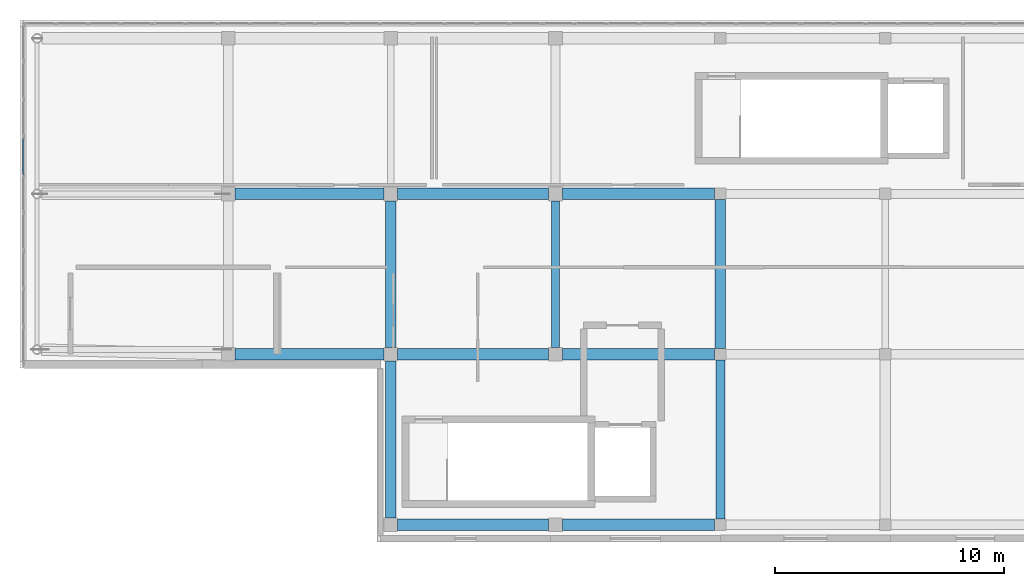
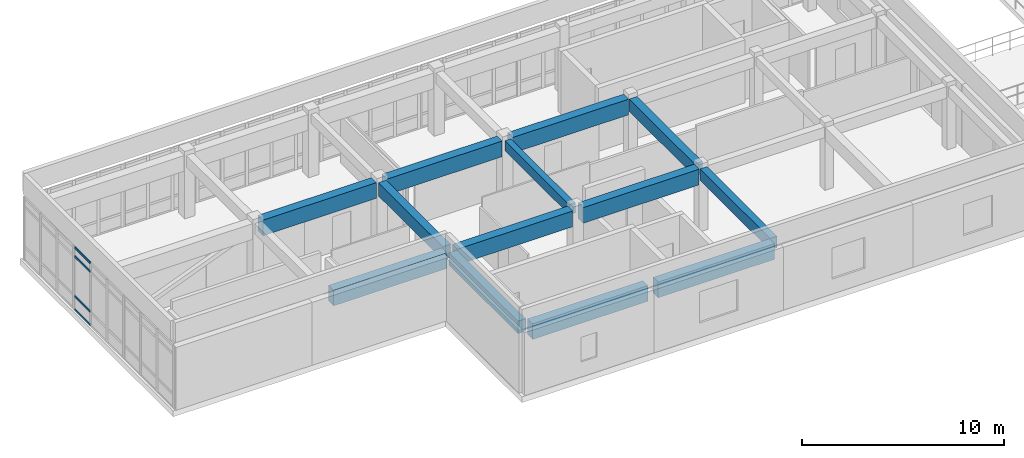
# One storey, part 4 of 14: 13 beams, 4 members, 1 element without a shape of its own.
"""IFC4 building model written with IfcOpenShell, lengths in metres."""

import ifcopenshell
import ifcopenshell.guid

model = None  # the IFC model being written
_history = None  # IfcOwnerHistory: only IFC2X3 demands one
_inside = {}  # id of a spatial element -> (the spatial element, [elements in it])
_under = {}  # id of a project, library or spatial element -> (it, [spatial elements below it])
_declared = {}  # id of a project -> (the project, [libraries it declares])
_typed = {}  # id of a type object -> (the type object, [elements of that type])
_made_of = {}  # id of a material, layer set ... -> (it, [elements and type objects made of it])


def new_model(schema):
    """Start an empty IFC model of exactly this schema.

    Asked for "IFC4X3", IfcOpenShell would pick the latest addendum, in which some entities
    have other attributes; the version numbers below select the first issue.
    IFC2X3 requires an IfcOwnerHistory on every rooted entity: one is made here for all.
    """
    global model, _history
    if schema == "IFC4X3":
        model = ifcopenshell.file(schema_version=(4, 3, 0, 0))
    else:
        model = ifcopenshell.file(schema=schema)
    _inside.clear()
    _under.clear()
    _declared.clear()
    _typed.clear()
    _made_of.clear()
    _history = None
    if model.schema == "IFC2X3":
        org = make("IfcOrganization", Name="unknown")
        user = make(
            "IfcPersonAndOrganization",
            ThePerson=make("IfcPerson", FamilyName="unknown"),
            TheOrganization=org,
        )
        app = make(
            "IfcApplication",
            ApplicationDeveloper=org,
            Version="unknown",
            ApplicationFullName="unknown",
            ApplicationIdentifier="unknown",
        )
        _history = make(
            "IfcOwnerHistory",
            OwningUser=user,
            OwningApplication=app,
            ChangeAction="ADDED",
            CreationDate=0,
        )
    return model


def make(cls, **values):
    """One entity of the class cls with the attributes given. An attribute that is None is left unset."""
    return model.create_entity(
        cls, **{name: value for name, value in values.items() if value is not None}
    )


def rooted(cls, **values):
    """An entity with a GlobalId (a new one), such as an element, a storey or a relation."""
    return make(cls, GlobalId=ifcopenshell.guid.new(), OwnerHistory=_history, **values)


def si_unit(unit_type, name, prefix=None):
    """IfcSIUnit, for example si_unit("LENGTHUNIT", "METRE", prefix="MILLI")."""
    return make("IfcSIUnit", UnitType=unit_type, Prefix=prefix, Name=name)


def assignment(units):
    """IfcUnitAssignment: the units of a project."""
    return None if units is None else make("IfcUnitAssignment", Units=units)


def point(xyz):
    """IfcCartesianPoint."""
    return None if xyz is None else make("IfcCartesianPoint", Coordinates=xyz)


def direction(xyz):
    """IfcDirection."""
    return None if xyz is None else make("IfcDirection", DirectionRatios=xyz)


def frame(location, z_axis=None, x_axis=None):
    """IfcAxis2Placement3D, a coordinate frame: its origin and axes. An axis left out is left unset."""
    return make(
        "IfcAxis2Placement3D",
        Location=point(location),
        Axis=direction(z_axis),
        RefDirection=direction(x_axis),
    )


def frame_2d(location, x_axis=None):
    """IfcAxis2Placement2D, a coordinate frame in the plane: its origin and x axis."""
    return make(
        "IfcAxis2Placement2D", Location=point(location), RefDirection=direction(x_axis)
    )


def origin():
    """The frame at (0, 0, 0) with its axes left unset."""
    return frame((0.0, 0.0, 0.0))


def origin_2d():
    """The frame at (0, 0) in the plane with its x axis left unset."""
    return frame_2d((0.0, 0.0))


def place(relative_to, where):
    """IfcLocalPlacement: puts the frame where relative to a parent placement (None: the world)."""
    return make(
        "IfcLocalPlacement", PlacementRelTo=relative_to, RelativePlacement=where
    )


def context(
    kind, dimensions, precision=None, world=None, true_north=None, identifier=None
):
    """IfcGeometricRepresentationContext, for example the 3D "Model" context."""
    return make(
        "IfcGeometricRepresentationContext",
        ContextIdentifier=identifier,
        ContextType=kind,
        CoordinateSpaceDimension=dimensions,
        Precision=precision,
        WorldCoordinateSystem=world,
        TrueNorth=true_north,
    )


def subcontext(parent, identifier, kind, view, scale=None):
    """IfcGeometricRepresentationSubContext, for example "Body" below "Model"."""
    return make(
        "IfcGeometricRepresentationSubContext",
        ContextIdentifier=identifier,
        ContextType=kind,
        ParentContext=parent,
        TargetScale=scale,
        TargetView=view,
    )


def project(units=None, contexts=None):
    """IfcProject with its units and contexts."""
    return rooted(
        "IfcProject",
        Name="project",
        RepresentationContexts=contexts,
        UnitsInContext=assignment(units),
    )


def spatial(cls, under=None, at=None, **own):
    """A site, building, storey or space (cls), placed at a placement, below another one or the project."""
    s = rooted(cls, ObjectPlacement=at, **own)
    if under is not None:
        _under.setdefault(under.id(), (under, []))[1].append(s)
    return s


def profile(cls, at=None, kind="AREA", **sizes):
    """A parametric profile (cls). Its sizes go by their IFC names, for example OverallWidth=200.0."""
    return make(cls, ProfileType=kind, Position=at, **sizes)


def rectangle(**sizes):
    """IfcRectangleProfileDef."""
    return profile("IfcRectangleProfileDef", **sizes)


def hollow_rectangle(**sizes):
    """IfcRectangleHollowProfileDef."""
    return profile("IfcRectangleHollowProfileDef", **sizes)


def extrude(swept, where, along, depth):
    """IfcExtrudedAreaSolid: the profile swept, set in the frame where, extruded along a direction by depth."""
    return make(
        "IfcExtrudedAreaSolid",
        SweptArea=swept,
        Position=where,
        ExtrudedDirection=direction(along),
        Depth=depth,
    )


def shape(context_of_items, identifier, shape_type, items):
    """IfcShapeRepresentation: the items that make up one representation, for example the "Body"."""
    return make(
        "IfcShapeRepresentation",
        ContextOfItems=context_of_items,
        RepresentationIdentifier=identifier,
        RepresentationType=shape_type,
        Items=items,
    )


def material(Name=None, Category=None):
    """IfcMaterial."""
    return make("IfcMaterial", Name=Name, Category=Category)


def layer(
    of_material, thickness, ventilated=None, Name=None, Category=None, Priority=None
):
    """IfcMaterialLayer: one layer of a wall or slab, of a material (None: an air gap)."""
    return make(
        "IfcMaterialLayer",
        Material=of_material,
        LayerThickness=thickness,
        IsVentilated=ventilated,
        Name=Name,
        Category=Category,
        Priority=Priority,
    )


def layer_set(layers, Name=None):
    """IfcMaterialLayerSet."""
    return make("IfcMaterialLayerSet", MaterialLayers=layers, LayerSetName=Name)


def material_profile(
    of_material, cross_section, Name=None, Category=None, Priority=None
):
    """IfcMaterialProfile: a cross section and its material."""
    return make(
        "IfcMaterialProfile",
        Name=Name,
        Material=of_material,
        Profile=cross_section,
        Priority=Priority,
        Category=Category,
    )


def profile_set(profiles, Name=None, composite=None):
    """IfcMaterialProfileSet."""
    return make(
        "IfcMaterialProfileSet",
        Name=Name,
        MaterialProfiles=profiles,
        CompositeProfile=composite,
    )


def made_of(thing, what):
    """Note that an element or type object is made of a material, layer set ...; save() writes the relation."""
    if what is not None:
        _made_of.setdefault(what.id(), (what, []))[1].append(thing)
    return thing


def type_object(cls, material=None, **own):
    """A type object (cls), such as IfcWallType, which elements share."""
    return made_of(rooted(cls, **own), material)


def element(
    cls,
    number,
    at=None,
    inside=None,
    cuts=None,
    type_object=None,
    material=None,
    context=None,
    identifier="Body",
    shape_type=None,
    held_by="IfcProductDefinitionShape",
    body=None,
    shapes=None,
    **own,
):
    """One element of the class cls, such as IfcWall. Its Tag is "e" and its number.

    at: its placement. inside: the storey or other place that contains it. cuts: it is an
    opening in that element (IfcRelVoidsElement). A single representation is given by context,
    identifier, shape_type and body (its items); several are given by shapes. held_by: the class
    of the entity that holds the representations. save() writes the other relations.
    """
    e = rooted(cls, Tag="e%d" % number, ObjectPlacement=at, **own)
    if body is not None:
        shapes = [shape(context, identifier, shape_type, body)]
    if shapes is not None:
        e.Representation = make(held_by, Representations=shapes)
    if inside is not None:
        _inside.setdefault(inside.id(), (inside, []))[1].append(e)
    if cuts is not None:
        rooted(
            "IfcRelVoidsElement", RelatingBuildingElement=cuts, RelatedOpeningElement=e
        )
    if type_object is not None:
        _typed.setdefault(type_object.id(), (type_object, []))[1].append(e)
    return made_of(e, material)


def aggregate(whole, parts):
    """IfcRelAggregates: a whole, such as a stair, and the parts it consists of."""
    return rooted("IfcRelAggregates", RelatingObject=whole, RelatedObjects=parts)


def save(model, path):
    """Write the relations noted so far, then the file.

    IfcRelAggregates (storeys below a building ...), IfcRelContainedInSpatialStructure (elements
    in a storey), IfcRelDefinesByType, IfcRelAssociatesMaterial and IfcRelDeclares: one each for
    every whole, place, type object, material and project.
    """
    for whole, parts in _under.values():
        aggregate(whole, parts)
    for where, things in _inside.values():
        rooted(
            "IfcRelContainedInSpatialStructure",
            RelatedElements=things,
            RelatingStructure=where,
        )
    for kind, things in _typed.values():
        rooted("IfcRelDefinesByType", RelatedObjects=things, RelatingType=kind)
    for what, things in _made_of.values():
        rooted("IfcRelAssociatesMaterial", RelatedObjects=things, RelatingMaterial=what)
    for by, libraries in _declared.values():
        rooted("IfcRelDeclares", RelatingContext=by, RelatedDefinitions=libraries)
    model.write(path)


model = new_model("IFC4")

# Units and contexts
model_context = context("Model", 3, precision=1e-05, world=origin(), true_north=direction((0.0, 1.0)))
body_context = subcontext(model_context, "Body", "Model", "MODEL_VIEW")
ifc_project = project(units=[si_unit("LENGTHUNIT", "METRE"), si_unit("AREAUNIT", "SQUARE_METRE"), si_unit("VOLUMEUNIT", "CUBIC_METRE"), si_unit("PLANEANGLEUNIT", "RADIAN"), si_unit("MASSUNIT", "GRAM", prefix="KILO")], contexts=[model_context])

# Site, building, storey
site_placement = place(None, origin())
site = spatial("IfcSite", under=ifc_project, at=site_placement, CompositionType="ELEMENT")
building_placement = place(site_placement, origin())
building = spatial("IfcBuilding", under=site, at=building_placement, Name="Valcora Specialist Clinic", CompositionType="ELEMENT")
storey_placement = place(building_placement, frame((0.0, 0.0, 21.760009765625)))
storey = spatial("IfcBuildingStorey", under=building, at=storey_placement, Name="L05", CompositionType="ELEMENT", Elevation=21.760009765625)

# Beams
ifc_material_1 = material(Name="Concrete C40/50", Category="concrete")
ifc_material_profile_1 = material_profile(ifc_material_1, rectangle(XDim=0.35009765625, YDim=0.60009765625, at=origin_2d()), Name="RC-BM-350X600")
ifc_profile_set_1 = profile_set([ifc_material_profile_1], Name="Concrete C40/50")
beam_type_1 = type_object("IfcBeamType", Name="TY-BM-RC350X600", PredefinedType="BEAM", material=ifc_profile_set_1)
beam_1_placement = place(storey_placement, frame((23.39990234375, 8.5, 3.510009765625), z_axis=(0.0, 1.0, 0.0), x_axis=(-1.0, 0.0, 0.0)))
element("IfcBeam", 1, at=beam_1_placement, inside=storey, type_object=beam_type_1, Name="Beam BM-L05-1140", PredefinedType="BEAM", context=body_context, shape_type="SweptSolid", body=[
    extrude(rectangle(XDim=0.35009765625, YDim=0.60009765625, at=origin_2d()), origin(), (0.0, 0.0, 1.0), 6.39990234375),
])
ifc_material_profile_2 = material_profile(ifc_material_1, rectangle(XDim=0.39990234375, YDim=0.699951171875, at=origin_2d()), Name="RC-BM-400X700")
ifc_profile_set_2 = profile_set([ifc_material_profile_2], Name="Concrete C40/50")
beam_type_2 = type_object("IfcBeamType", Name="TY-BM-RC400X700", PredefinedType="BEAM", material=ifc_profile_set_2)
beam_2_placement = place(storey_placement, frame((30.60009765625, 1.0, 3.4599609375), z_axis=(0.0, 1.0, 0.0), x_axis=(-1.0, 0.0, 0.0)))
element("IfcBeam", 2, at=beam_2_placement, inside=storey, type_object=beam_type_2, Name="Beam BM-L05-1142", PredefinedType="BEAM", context=body_context, shape_type="SweptSolid", body=[
    extrude(rectangle(XDim=0.39990234375, YDim=0.699951171875, at=origin_2d()), origin(), (0.0, 0.0, 1.0), 6.949951171875),
])
ifc_material_profile_3 = material_profile(ifc_material_1, rectangle(XDim=0.449951171875, YDim=0.75, at=origin_2d()), Name="RC-BM-450X750")
ifc_profile_set_3 = profile_set([ifc_material_profile_3], Name="Concrete C40/50")
beam_type_3 = type_object("IfcBeamType", Name="TY-BM-RC450X750", PredefinedType="BEAM", material=ifc_profile_set_3)
beam_3_placement = place(storey_placement, frame((16.199951171875, 1.050048828125, 3.43505859375), z_axis=(0.0, 1.0, 0.0), x_axis=(-1.0, 0.0, 0.0)))
element("IfcBeam", 3, at=beam_3_placement, inside=storey, type_object=beam_type_3, Name="Beam BM-L05-1137", PredefinedType="BEAM", context=body_context, shape_type="SweptSolid", body=[
    extrude(rectangle(XDim=0.449951171875, YDim=0.75, at=origin_2d()), origin(), (0.0, 0.0, 1.0), 6.849853515625),
])
beam_4_placement = place(storey_placement, frame((30.60009765625, 8.449951171875, 3.43505859375), z_axis=(0.0, 1.0, 0.0), x_axis=(-1.0, 0.0, 0.0)))
element("IfcBeam", 4, at=beam_4_placement, inside=storey, type_object=beam_type_3, Name="Beam BM-L05-1143", PredefinedType="BEAM", context=body_context, shape_type="SweptSolid", body=[
    extrude(rectangle(XDim=0.449951171875, YDim=0.75, at=origin_2d()), origin(), (0.0, 0.0, 1.0), 6.5),
])
ifc_material_profile_4 = material_profile(ifc_material_1, rectangle(XDim=0.449951171875, YDim=0.800048828125, at=origin_2d()), Name="RC-BM-450X800")
ifc_profile_set_4 = profile_set([ifc_material_profile_4], Name="Concrete C40/50")
beam_type_4 = type_object("IfcBeamType", Name="TY-BM-RC450X800", PredefinedType="BEAM", material=ifc_profile_set_4)
beam_5_placement = place(storey_placement, frame((16.199951171875, 8.5, 3.409912109375), z_axis=(0.0, 1.0, 0.0), x_axis=(-1.0, 0.0, 0.0)))
element("IfcBeam", 5, at=beam_5_placement, inside=storey, type_object=beam_type_4, Name="Beam BM-L05-1138", PredefinedType="BEAM", context=body_context, shape_type="SweptSolid", body=[
    extrude(rectangle(XDim=0.449951171875, YDim=0.800048828125, at=origin_2d()), origin(), (0.0, 0.0, 1.0), 6.39990234375),
])
ifc_material_profile_5 = material_profile(ifc_material_1, rectangle(XDim=0.5, YDim=0.949951171875, at=origin_2d()), Name="RC-BM-500X950")
ifc_profile_set_5 = profile_set([ifc_material_profile_5], Name="Concrete C40/50")
beam_type_5 = type_object("IfcBeamType", Name="TY-BM-TR500X950", PredefinedType="BEAM", material=ifc_profile_set_5)
beam_6_placement = place(storey_placement, frame((16.5, 0.75, 3.3349609375), z_axis=(1.0, 0.0, 0.0), x_axis=(0.0, 1.0, 0.0)))
element("IfcBeam", 6, at=beam_6_placement, inside=storey, type_object=beam_type_5, Name="Beam BM-L05-1111", PredefinedType="BEAM", context=body_context, shape_type="SweptSolid", body=[
    extrude(rectangle(XDim=0.5, YDim=0.949951171875, at=origin_2d()), origin(), (0.0, 0.0, 1.0), 6.60009765625),
])
beam_7_placement = place(storey_placement, frame((23.699951171875, 0.75, 3.3349609375), z_axis=(1.0, 0.0, 0.0), x_axis=(0.0, 1.0, 0.0)))
element("IfcBeam", 7, at=beam_7_placement, inside=storey, type_object=beam_type_5, Name="Beam BM-L05-1112", PredefinedType="BEAM", context=body_context, shape_type="SweptSolid", body=[
    extrude(rectangle(XDim=0.5, YDim=0.949951171875, at=origin_2d()), origin(), (0.0, 0.0, 1.0), 6.650146484375),
])
beam_8_placement = place(storey_placement, frame((9.39990234375, 8.199951171875, 3.3349609375), z_axis=(1.0, 0.0, 0.0), x_axis=(0.0, 1.0, 0.0)))
element("IfcBeam", 8, at=beam_8_placement, inside=storey, type_object=beam_type_5, Name="Beam BM-L05-1116", PredefinedType="BEAM", context=body_context, shape_type="SweptSolid", body=[
    extrude(rectangle(XDim=0.5, YDim=0.949951171875, at=origin_2d()), origin(), (0.0, 0.0, 1.0), 6.5),
])
beam_9_placement = place(storey_placement, frame((16.5, 8.199951171875, 3.3349609375), z_axis=(1.0, 0.0, 0.0), x_axis=(0.0, 1.0, 0.0)))
element("IfcBeam", 9, at=beam_9_placement, inside=storey, type_object=beam_type_5, Name="Beam BM-L05-1117", PredefinedType="BEAM", context=body_context, shape_type="SweptSolid", body=[
    extrude(rectangle(XDim=0.5, YDim=0.949951171875, at=origin_2d()), origin(), (0.0, 0.0, 1.0), 6.60009765625),
])
beam_10_placement = place(storey_placement, frame((23.699951171875, 8.199951171875, 3.3349609375), z_axis=(1.0, 0.0, 0.0), x_axis=(0.0, 1.0, 0.0)))
element("IfcBeam", 10, at=beam_10_placement, inside=storey, type_object=beam_type_5, Name="Beam BM-L05-1118", PredefinedType="BEAM", context=body_context, shape_type="SweptSolid", body=[
    extrude(rectangle(XDim=0.5, YDim=0.949951171875, at=origin_2d()), origin(), (0.0, 0.0, 1.0), 6.650146484375),
])
beam_11_placement = place(storey_placement, frame((9.39990234375, 15.199951171875, 3.3349609375), z_axis=(1.0, 0.0, 0.0), x_axis=(0.0, 1.0, 0.0)))
element("IfcBeam", 11, at=beam_11_placement, inside=storey, type_object=beam_type_5, Name="Beam BM-L05-1122", PredefinedType="BEAM", context=body_context, shape_type="SweptSolid", body=[
    extrude(rectangle(XDim=0.5, YDim=0.949951171875, at=origin_2d()), origin(), (0.0, 0.0, 1.0), 6.5),
])
beam_12_placement = place(storey_placement, frame((16.5, 15.199951171875, 3.3349609375), z_axis=(1.0, 0.0, 0.0), x_axis=(0.0, 1.0, 0.0)))
element("IfcBeam", 12, at=beam_12_placement, inside=storey, type_object=beam_type_5, Name="Beam BM-L05-1123", PredefinedType="BEAM", context=body_context, shape_type="SweptSolid", body=[
    extrude(rectangle(XDim=0.5, YDim=0.949951171875, at=origin_2d()), origin(), (0.0, 0.0, 1.0), 6.60009765625),
])
beam_13_placement = place(storey_placement, frame((23.699951171875, 15.199951171875, 3.3349609375), z_axis=(1.0, 0.0, 0.0), x_axis=(0.0, 1.0, 0.0)))
element("IfcBeam", 13, at=beam_13_placement, inside=storey, type_object=beam_type_5, Name="Beam BM-L05-1124", PredefinedType="BEAM", context=body_context, shape_type="SweptSolid", body=[
    extrude(rectangle(XDim=0.5, YDim=0.949951171875, at=origin_2d()), origin(), (0.0, 0.0, 1.0), 6.650146484375),
])

# Curtain wall, members
ifc_material_2 = material(Name="Anodized Bronze Aluminium 6063-T6", Category="aluminium")
ifc_layer = layer(ifc_material_2, 0.175048828125)
ifc_layer_set = layer_set([ifc_layer], Name="Anodized Bronze Aluminium 6063-T6")
curtain_wall_type = type_object("IfcCurtainWallType", Name="TY-CW-V5F15", PredefinedType="NOTDEFINED", material=ifc_layer_set)
curtain_wall_placement = place(storey_placement, origin())
curtain_wall = element("IfcCurtainWall", 14, at=curtain_wall_placement, inside=storey, type_object=curtain_wall_type, Name="Curtain wall CW-L05-176", PredefinedType="NOTDEFINED")
ifc_material_profile_6 = material_profile(ifc_material_2, hollow_rectangle(XDim=0.06494140625, YDim=0.1298828125, WallThickness=0.00390625, at=origin_2d()), Name="AL-TRN-65X130")
ifc_profile_set_6 = profile_set([ifc_material_profile_6], Name="Anodized Bronze Aluminium 6063-T6")
member_type = type_object("IfcMemberType", Name="TY-CWT-65X130", PredefinedType="USERDEFINED", material=ifc_profile_set_6)
member_1_placement = place(storey_placement, frame((0.14990234375, 16.060302734375, 0.032470703125), z_axis=(0.0, 1.0, 0.0), x_axis=(-1.0, 0.0, 0.0)))
member_1 = element("IfcMember", 15, at=member_1_placement, type_object=member_type, Name="CW-V5F-15 transom 3.1", ObjectType="TRANSOM", PredefinedType="USERDEFINED", context=body_context, shape_type="SweptSolid", body=[
    extrude(hollow_rectangle(XDim=0.06494140625, YDim=0.1298828125, WallThickness=0.00390625, at=origin_2d()), origin(), (0.0, 0.0, 1.0), 1.55810546875),
])
member_2_placement = place(storey_placement, frame((0.14990234375, 16.060302734375, 0.85009765625), z_axis=(0.0, 1.0, 0.0), x_axis=(-1.0, 0.0, 0.0)))
member_2 = element("IfcMember", 16, at=member_2_placement, type_object=member_type, Name="CW-V5F-15 transom 3.2", ObjectType="TRANSOM", PredefinedType="USERDEFINED", context=body_context, shape_type="SweptSolid", body=[
    extrude(hollow_rectangle(XDim=0.06494140625, YDim=0.1298828125, WallThickness=0.00390625, at=origin_2d()), origin(), (0.0, 0.0, 1.0), 1.55810546875),
])
member_3_placement = place(storey_placement, frame((0.14990234375, 16.060302734375, 3.260009765625), z_axis=(0.0, 1.0, 0.0), x_axis=(-1.0, 0.0, 0.0)))
member_3 = element("IfcMember", 17, at=member_3_placement, type_object=member_type, Name="CW-V5F-15 transom 3.3", ObjectType="TRANSOM", PredefinedType="USERDEFINED", context=body_context, shape_type="SweptSolid", body=[
    extrude(hollow_rectangle(XDim=0.06494140625, YDim=0.1298828125, WallThickness=0.00390625, at=origin_2d()), origin(), (0.0, 0.0, 1.0), 1.55810546875),
])
member_4_placement = place(storey_placement, frame((0.14990234375, 16.060302734375, 3.777587890625), z_axis=(0.0, 1.0, 0.0), x_axis=(-1.0, 0.0, 0.0)))
member_4 = element("IfcMember", 18, at=member_4_placement, type_object=member_type, Name="CW-V5F-15 transom 3.4", ObjectType="TRANSOM", PredefinedType="USERDEFINED", context=body_context, shape_type="SweptSolid", body=[
    extrude(hollow_rectangle(XDim=0.06494140625, YDim=0.1298828125, WallThickness=0.00390625, at=origin_2d()), origin(), (0.0, 0.0, 1.0), 1.55810546875),
])
aggregate(curtain_wall, [member_1, member_2, member_3, member_4])

save(model, "model.ifc")
